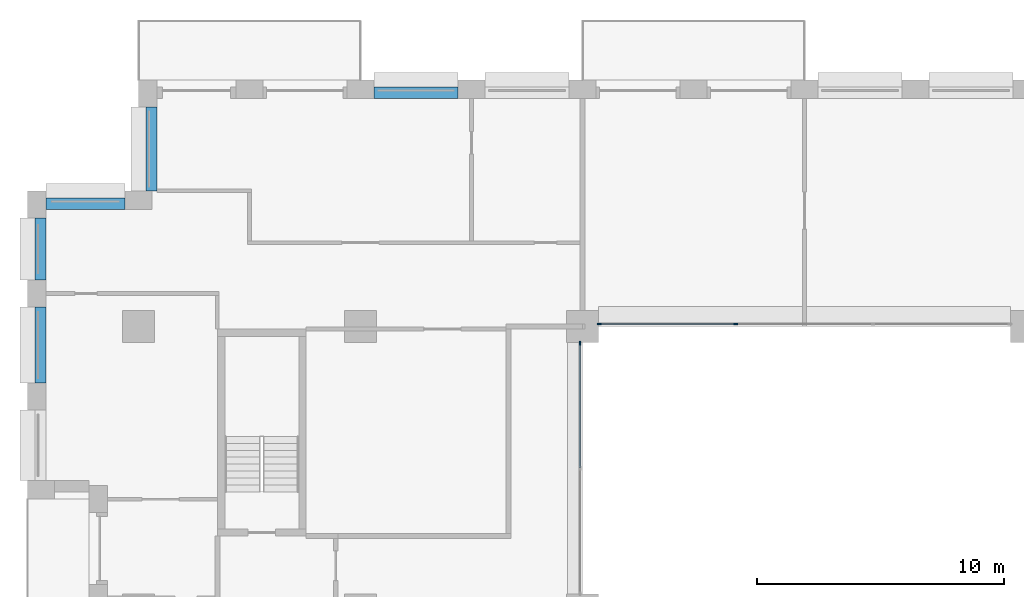
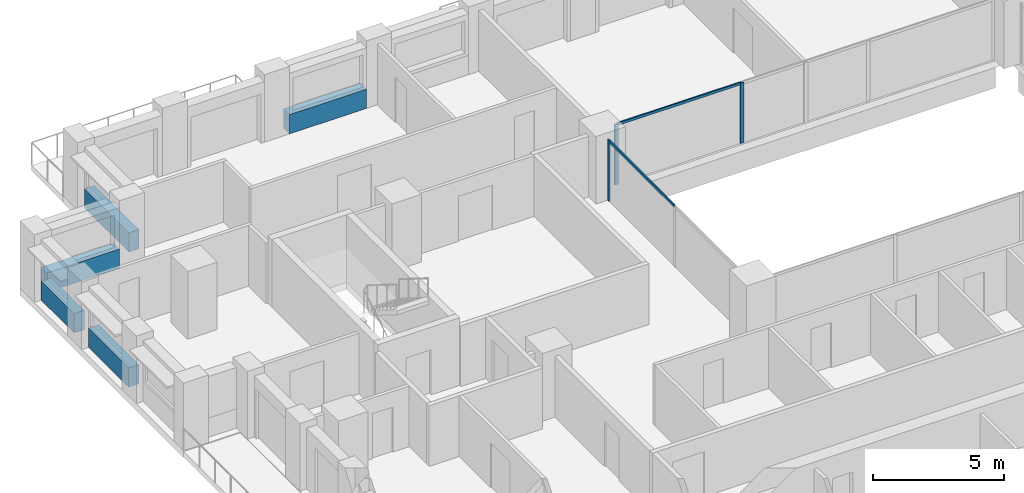
# One storey, part 5 of 16: 5 beams, 5 members, 2 elements without a shape of their own.
"""IFC4 building model written with IfcOpenShell, lengths in metres."""

from ifc_helpers import new_model, si_unit, direction, frame, origin, origin_2d, place, context, subcontext, project, spatial, rectangle, extrude, material, layer, layer_set, material_profile, profile_set, type_object, element, aggregate, save


model = new_model("IFC4")

# Units and contexts
model_context = context("Model", 3, precision=1e-05, world=origin(), true_north=direction((0.0, 1.0)))
body_context = subcontext(model_context, "Body", "Model", "MODEL_VIEW")
ifc_project = project(units=[si_unit("LENGTHUNIT", "METRE"), si_unit("AREAUNIT", "SQUARE_METRE"), si_unit("VOLUMEUNIT", "CUBIC_METRE"), si_unit("PLANEANGLEUNIT", "RADIAN"), si_unit("MASSUNIT", "GRAM", prefix="KILO")], contexts=[model_context])

# Site, building, storey
site_placement = place(None, origin())
site = spatial("IfcSite", under=ifc_project, at=site_placement, CompositionType="ELEMENT")
building_placement = place(site_placement, origin())
building = spatial("IfcBuilding", under=site, at=building_placement, Name="Brigalow Station Residences", CompositionType="ELEMENT")
storey_placement = place(building_placement, frame((0.0, 0.0, 102.449951171875)))
storey = spatial("IfcBuildingStorey", under=building, at=storey_placement, Name="L29", CompositionType="ELEMENT", Elevation=102.449951171875)

# Curtain wall, members
ifc_material_1 = material(Name="Aluminium", Category="aluminium")
ifc_layer = layer(ifc_material_1, 0.14990234375)
ifc_layer_set = layer_set([ifc_layer], Name="ATRIUM FIRE-RATED GLAZING CURTAIN WALL")
curtain_wall_type = type_object("IfcCurtainWallType", Name="ATRIUM FIRE-RATED GLAZING CURTAIN WALL", PredefinedType="NOTDEFINED", material=ifc_layer_set)
curtain_wall_1_placement = place(storey_placement, origin())
curtain_wall_1 = element("IfcCurtainWall", 1, at=curtain_wall_1_placement, inside=storey, type_object=curtain_wall_type, Name="L29/cw/atrium-N", PredefinedType="NOTDEFINED")
ifc_material_2 = material(Name="Aluminium", Category="aluminium")
ifc_material_profile_1 = material_profile(ifc_material_2, rectangle(XDim=0.06005859375, YDim=0.14990234375, at=origin_2d()), Name="ATRIUM FIRE-RATED GLAZING MULLION 60x150")
ifc_profile_set_1 = profile_set([ifc_material_profile_1], Name="Aluminium")
member_type_1 = type_object("IfcMemberType", Name="ATRIUM FIRE-RATED GLAZING MULLION 60x150", PredefinedType="MULLION", material=ifc_profile_set_1)
member_1_placement = place(storey_placement, frame((33.216796875, 35.60009765625, 0.0), z_axis=(0.0, 0.0, 1.0), x_axis=(0.0, -1.0, 0.0)))
member_1 = element("IfcMember", 2, at=member_1_placement, type_object=member_type_1, Name="L29/cw/atrium-N/M02", PredefinedType="MULLION", context=body_context, shape_type="SweptSolid", body=[
    extrude(rectangle(XDim=0.06005859375, YDim=0.14990234375, at=origin_2d()), origin(), (0.0, 0.0, 1.0), 2.830078125),
])
member_2_placement = place(storey_placement, frame((27.679931640625, 35.60009765625, 0.0), z_axis=(0.0, 0.0, 1.0), x_axis=(0.0, -1.0, 0.0)))
member_2 = element("IfcMember", 3, at=member_2_placement, type_object=member_type_1, Name="L29/cw/atrium-N/M03", PredefinedType="MULLION", context=body_context, shape_type="SweptSolid", body=[
    extrude(rectangle(XDim=0.06005859375, YDim=0.14990234375, at=origin_2d()), origin(), (0.0, 0.0, 1.0), 2.830078125),
])

# Curtain wall, member
curtain_wall_2_placement = place(storey_placement, origin())
curtain_wall_2 = element("IfcCurtainWall", 4, at=curtain_wall_2_placement, inside=storey, type_object=curtain_wall_type, Name="L29/cw/atrium-W", PredefinedType="NOTDEFINED")
member_3_placement = place(storey_placement, frame((26.89990234375, 34.820068359375, 0.0), z_axis=(0.0, 0.0, 1.0), x_axis=(1.0, 0.0, 0.0)))
member_3 = element("IfcMember", 5, at=member_3_placement, type_object=member_type_1, Name="L29/cw/atrium-W/M00", PredefinedType="MULLION", context=body_context, shape_type="SweptSolid", body=[
    extrude(rectangle(XDim=0.06005859375, YDim=0.14990234375, at=origin_2d()), origin(), (0.0, 0.0, 1.0), 2.830078125),
])

# Member
ifc_material_3 = material(Name="Aluminium", Category="aluminium")
ifc_material_profile_2 = material_profile(ifc_material_3, rectangle(XDim=0.06005859375, YDim=0.1201171875, at=origin_2d()), Name="ATRIUM FIRE-RATED GLAZING TRANSOM 60x120")
ifc_profile_set_2 = profile_set([ifc_material_profile_2], Name="Aluminium")
member_type_2 = type_object("IfcMemberType", Name="ATRIUM FIRE-RATED GLAZING TRANSOM 60x120", PredefinedType="USERDEFINED", material=ifc_profile_set_2)
member_4_placement = place(storey_placement, frame((33.186767578125, 35.60009765625, 2.800048828125), z_axis=(-1.0, 0.0, 0.0), x_axis=(0.0, -1.0, 0.0)))
member_4 = element("IfcMember", 6, at=member_4_placement, type_object=member_type_2, Name="L29/cw/atrium-N/T02-00", ObjectType="TRANSOM", PredefinedType="USERDEFINED", context=body_context, shape_type="SweptSolid", body=[
    extrude(rectangle(XDim=0.06005859375, YDim=0.1201171875, at=origin_2d()), origin(), (0.0, 0.0, 1.0), 5.476806640625),
])

aggregate(curtain_wall_1, [member_1, member_2, member_4])

member_5_placement = place(storey_placement, frame((26.89990234375, 34.7900390625, 2.800048828125), z_axis=(0.0, -1.0, 0.0), x_axis=(1.0, 0.0, 0.0)))
member_5 = element("IfcMember", 7, at=member_5_placement, type_object=member_type_2, Name="L29/cw/atrium-W/T00-00", ObjectType="TRANSOM", PredefinedType="USERDEFINED", context=body_context, shape_type="SweptSolid", body=[
    extrude(rectangle(XDim=0.06005859375, YDim=0.1201171875, at=origin_2d()), origin(), (0.0, 0.0, 1.0), 5.010009765625),
])

aggregate(curtain_wall_2, [member_3, member_5])

# Beams
ifc_material_4 = material(Name="Concrete C65", Category="concrete")
ifc_material_profile_3 = material_profile(ifc_material_4, rectangle(XDim=0.449951171875, YDim=0.89990234375, at=origin_2d()), Name="RC450x900")
ifc_profile_set_3 = profile_set([ifc_material_profile_3], Name="Concrete C65")
beam_type = type_object("IfcBeamType", Name="SPANDREL BEAM 450x900 C65", PredefinedType="SPANDREL", material=ifc_profile_set_3)
for number, where, z_axis, x_axis, name in (
    (8, (21.949951171875, 44.97509765625, 0.449951171875), (-1.0, 0.0, 0.0), (0.0, -1.0, 0.0), "L29/spandrel/W-L29-34"),
    (9, (9.52490234375, 44.39990234375, 0.449951171875), (0.0, -1.0, 0.0), (1.0, 0.0, 0.0), "L29/spandrel/W-L29-37"),
):
    element("IfcBeam", number, at=place(storey_placement, frame(where, z_axis=z_axis, x_axis=x_axis)), inside=storey, type_object=beam_type, Name=name, PredefinedType="SPANDREL", context=body_context, shape_type="SweptSolid", body=[
        extrude(rectangle(XDim=0.449951171875, YDim=0.89990234375, at=origin_2d()), origin(), (0.0, 0.0, 1.0), 3.39990234375),
    ])
beam_1_placement = place(storey_placement, frame((8.449951171875, 40.47509765625, 0.449951171875), z_axis=(-1.0, 0.0, 0.0), x_axis=(0.0, -1.0, 0.0)))
element("IfcBeam", 10, at=beam_1_placement, inside=storey, type_object=beam_type, Name="L29/spandrel/W-L29-38", PredefinedType="SPANDREL", context=body_context, shape_type="SweptSolid", body=[
    extrude(rectangle(XDim=0.449951171875, YDim=0.89990234375, at=origin_2d()), origin(), (0.0, 0.0, 1.0), 3.199951171875),
])
beam_2_placement = place(storey_placement, frame((5.02490234375, 39.89990234375, 0.449951171875), z_axis=(0.0, -1.0, 0.0), x_axis=(1.0, 0.0, 0.0)))
element("IfcBeam", 11, at=beam_2_placement, inside=storey, type_object=beam_type, Name="L29/spandrel/W-L29-39", PredefinedType="SPANDREL", context=body_context, shape_type="SweptSolid", body=[
    extrude(rectangle(XDim=0.449951171875, YDim=0.89990234375, at=origin_2d()), origin(), (0.0, 0.0, 1.0), 2.516845703125),
])
beam_3_placement = place(storey_placement, frame((5.02490234375, 36.282958984375, 0.449951171875), z_axis=(0.0, -1.0, 0.0), x_axis=(1.0, 0.0, 0.0)))
element("IfcBeam", 12, at=beam_3_placement, inside=storey, type_object=beam_type, Name="L29/spandrel/W-L29-40", PredefinedType="SPANDREL", context=body_context, shape_type="SweptSolid", body=[
    extrude(rectangle(XDim=0.449951171875, YDim=0.89990234375, at=origin_2d()), origin(), (0.0, 0.0, 1.0), 3.06591796875),
])

save(model, "model.ifc")
